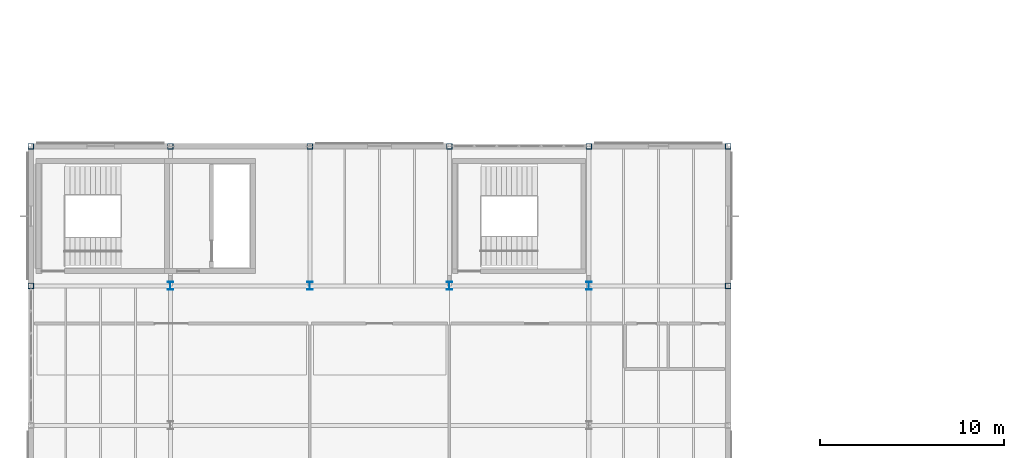
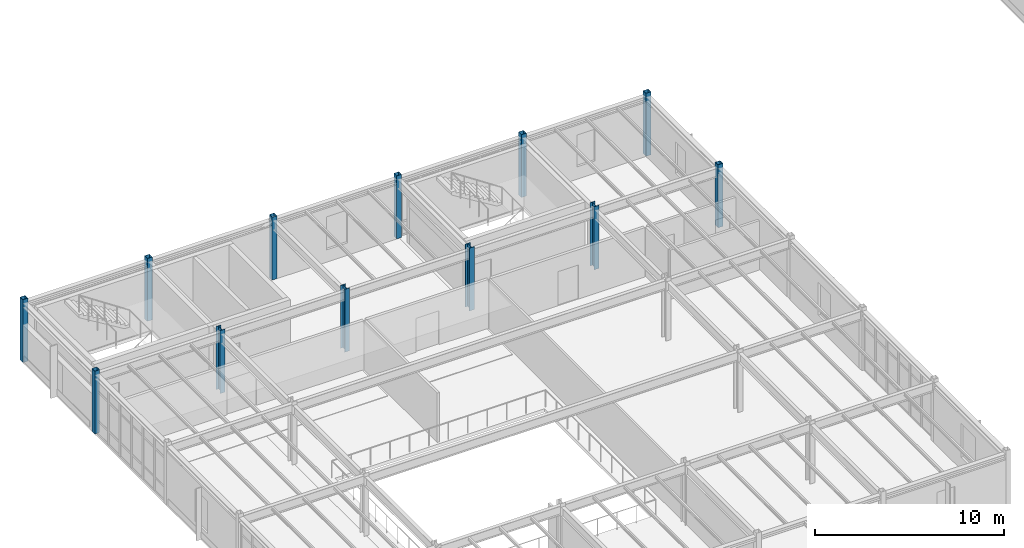
# One storey, part 11 of 165: 12 columns.
"""IFC4 building model written with IfcOpenShell, lengths in metres."""

from ifc_helpers import new_model, si_unit, direction, frame, origin, origin_2d, place, context, subcontext, project, spatial, hollow_rectangle, i_section, extrude, material, material_profile, profile_set, type_object, element, save


model = new_model("IFC4")

# Units and contexts
model_context = context("Model", 3, precision=1e-05, world=origin(), true_north=direction((0.0, 1.0)))
body_context = subcontext(model_context, "Body", "Model", "MODEL_VIEW")
ifc_project = project(units=[si_unit("LENGTHUNIT", "METRE"), si_unit("AREAUNIT", "SQUARE_METRE"), si_unit("VOLUMEUNIT", "CUBIC_METRE"), si_unit("PLANEANGLEUNIT", "RADIAN"), si_unit("MASSUNIT", "GRAM", prefix="KILO")], contexts=[model_context])

# Site, building, storey
site_placement = place(None, origin())
site = spatial("IfcSite", under=ifc_project, at=site_placement, CompositionType="ELEMENT")
building_placement = place(site_placement, origin())
building = spatial("IfcBuilding", under=site, at=building_placement, Name="Montecoro Central Library", CompositionType="ELEMENT")
storey_placement = place(building_placement, frame((0.0, 0.0, 5.10009765625)))
storey = spatial("IfcBuildingStorey", under=building, at=storey_placement, Name="L01", CompositionType="ELEMENT", Elevation=5.10009765625)

# Columns
ifc_material = material(Name="Steel S355", Category="steel")
ifc_material_profile_1 = material_profile(ifc_material, i_section(OverallWidth=0.300048828125, OverallDepth=0.449951171875, WebThickness=0.013916015625, FlangeThickness=0.02587890625, at=origin_2d()), Name="HEB 450")
ifc_profile_set_1 = profile_set([ifc_material_profile_1], Name="Steel S355")
column_type_1 = type_object("IfcColumnType", Name="COL-HEB450", PredefinedType="COLUMN", material=ifc_profile_set_1)
for number, where, z_axis, x_axis, name in (
    (1, (12.60009765625, 103.800048828125, 0.0), (0.0, 0.0, 1.0), (1.0, 0.0, 0.0), "V4-L01-COL-2-P"),
    (2, (20.199951171875, 103.800048828125, 0.0), (0.0, 0.0, 1.0), (1.0, 0.0, 0.0), "V4-L01-COL-3-P"),
    (3, (27.800048828125, 103.800048828125, 0.0), (0.0, 0.0, 1.0), (1.0, 0.0, 0.0), "V4-L01-COL-4-P"),
    (4, (35.39990234375, 103.800048828125, 0.0), (0.0, 0.0, 1.0), (1.0, 0.0, 0.0), "V4-L01-COL-5-P"),
):
    element("IfcColumn", number, at=place(storey_placement, frame(where, z_axis=z_axis, x_axis=x_axis)), inside=storey, type_object=column_type_1, Name=name, PredefinedType="COLUMN", context=body_context, shape_type="SweptSolid", body=[
        extrude(i_section(OverallWidth=0.300048828125, OverallDepth=0.449951171875, WebThickness=0.013916015625, FlangeThickness=0.02587890625, at=origin_2d()), origin(), (0.0, 0.0, 1.0), 4.054931640625),
    ])
ifc_material_profile_2 = material_profile(ifc_material, hollow_rectangle(XDim=0.300048828125, YDim=0.300048828125, WallThickness=0.012451171875, at=origin_2d()), Name="SHS 300x300x12.5")
ifc_profile_set_2 = profile_set([ifc_material_profile_2], Name="Steel S355")
column_type_2 = type_object("IfcColumnType", Name="COL-SHS300", PredefinedType="COLUMN", material=ifc_profile_set_2)
for number, where, z_axis, x_axis, name in (
    (5, (5.0, 103.800048828125, 0.0), (0.0, 0.0, 1.0), (1.0, 0.0, 0.0), "V4-L01-COL-1-P"),
    (6, (5.0, 111.39990234375, 0.0), (0.0, 0.0, 1.0), (1.0, 0.0, 0.0), "V4-L01-COL-1-Q"),
    (7, (12.60009765625, 111.39990234375, 0.0), (0.0, 0.0, 1.0), (1.0, 0.0, 0.0), "V4-L01-COL-2-Q"),
    (8, (20.199951171875, 111.39990234375, 0.0), (0.0, 0.0, 1.0), (1.0, 0.0, 0.0), "V4-L01-COL-3-Q"),
    (9, (27.800048828125, 111.39990234375, 0.0), (0.0, 0.0, 1.0), (1.0, 0.0, 0.0), "V4-L01-COL-4-Q"),
    (10, (35.39990234375, 111.39990234375, 0.0), (0.0, 0.0, 1.0), (1.0, 0.0, 0.0), "V4-L01-COL-5-Q"),
    (11, (43.0, 103.800048828125, 0.0), (0.0, 0.0, 1.0), (1.0, 0.0, 0.0), "V4-L01-COL-6-P"),
    (12, (43.0, 111.39990234375, 0.0), (0.0, 0.0, 1.0), (1.0, 0.0, 0.0), "V4-L01-COL-6-Q"),
):
    element("IfcColumn", number, at=place(storey_placement, frame(where, z_axis=z_axis, x_axis=x_axis)), inside=storey, type_object=column_type_2, Name=name, PredefinedType="COLUMN", context=body_context, shape_type="SweptSolid", body=[
        extrude(hollow_rectangle(XDim=0.300048828125, YDim=0.300048828125, WallThickness=0.012451171875, at=origin_2d()), origin(), (0.0, 0.0, 1.0), 4.054931640625),
    ])

save(model, "model.ifc")
